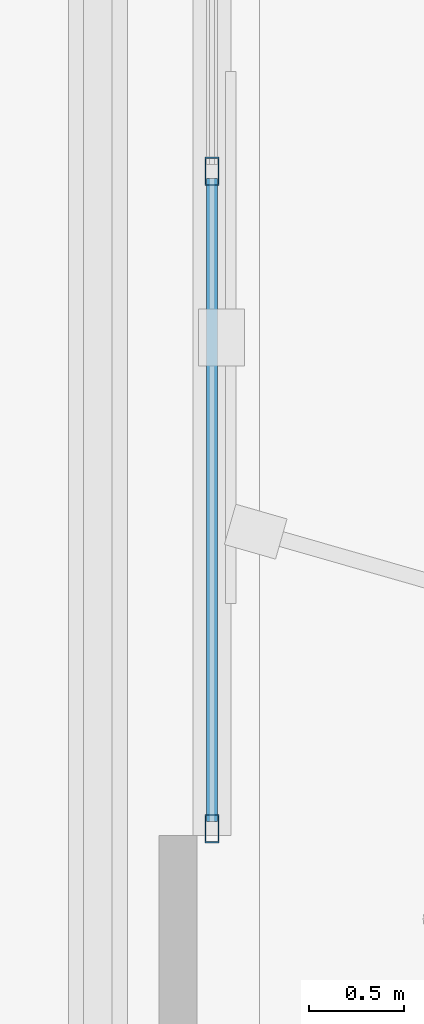
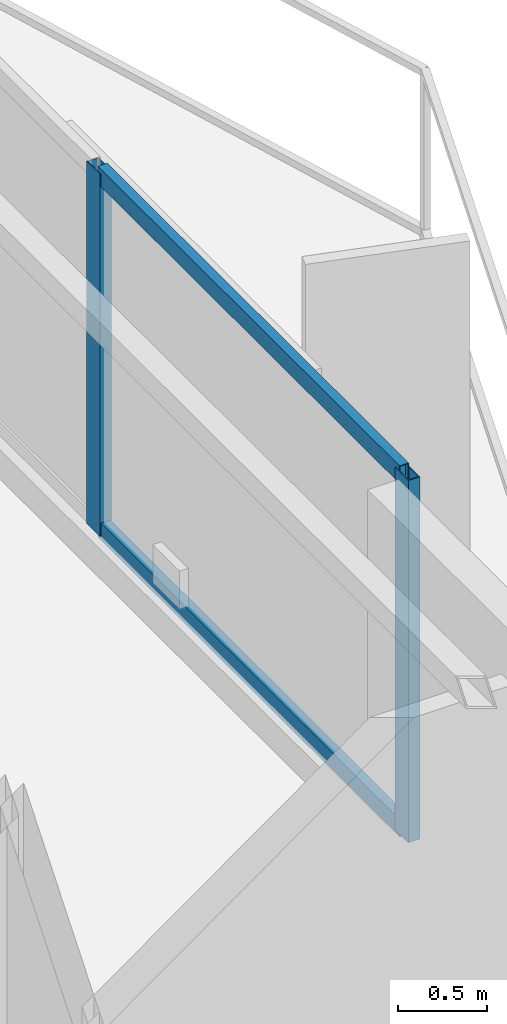
# One storey, part 7 of 19: 4 members, 1 element without a shape of its own.
"""IFC4 building model written with IfcOpenShell, lengths in metres."""

from ifc_helpers import new_model, si_unit, direction, frame, origin, origin_2d, place, context, subcontext, project, spatial, hollow_rectangle, extrude, material, layer, layer_set, material_profile, profile_set, type_object, element, aggregate, save


model = new_model("IFC4")

# Units and contexts
model_context = context("Model", 3, precision=1e-05, world=origin(), true_north=direction((0.0, 1.0)))
body_context = subcontext(model_context, "Body", "Model", "MODEL_VIEW")
ifc_project = project(units=[si_unit("LENGTHUNIT", "METRE"), si_unit("AREAUNIT", "SQUARE_METRE"), si_unit("VOLUMEUNIT", "CUBIC_METRE"), si_unit("PLANEANGLEUNIT", "RADIAN"), si_unit("MASSUNIT", "GRAM", prefix="KILO")], contexts=[model_context])

# Site, building, storey
site_placement = place(None, origin())
site = spatial("IfcSite", under=ifc_project, at=site_placement, CompositionType="ELEMENT")
building_placement = place(site_placement, origin())
building = spatial("IfcBuilding", under=site, at=building_placement, Name="Mersakhor Tower and Convention Hall", CompositionType="ELEMENT")
storey_placement = place(building_placement, frame((0.0, 0.0, 141.0)))
storey = spatial("IfcBuildingStorey", under=building, at=storey_placement, Name="L39", CompositionType="ELEMENT", Elevation=141.0)

# Curtain wall, members
ifc_material_1 = material(Name="Dark solar low-E aluminium curtain wall", Category="aluminium")
ifc_layer = layer(ifc_material_1, 0.169921875)
ifc_layer_set = layer_set([ifc_layer], Name="Dark solar low-E aluminium curtain wall")
curtain_wall_type = type_object("IfcCurtainWallType", Name="CW-SYS-02", PredefinedType="USERDEFINED", material=ifc_layer_set)
curtain_wall_placement = place(storey_placement, origin())
curtain_wall = element("IfcCurtainWall", 1, at=curtain_wall_placement, inside=storey, type_object=curtain_wall_type, Name="L39 Dark-Glass Curtain Wall F2-B2", ObjectType="CURTAIN WALL", PredefinedType="USERDEFINED")
ifc_material_2 = material(Name="Anodised aluminium EN AW-6063 T6", Category="aluminium")
ifc_material_profile_1 = material_profile(ifc_material_2, hollow_rectangle(XDim=0.074951171875, YDim=0.14990234375, WallThickness=0.00634765625, at=origin_2d()), Name="RHS 150x75x6.3")
ifc_profile_set_1 = profile_set([ifc_material_profile_1], Name="Anodised aluminium EN AW-6063 T6")
member_type_1 = type_object("IfcMemberType", Name="CWM-150x75", PredefinedType="MULLION", material=ifc_profile_set_1)
member_1_placement = place(storey_placement, frame((42.21923828125, 25.00244140625, 0.199951171875), z_axis=(0.0, 0.0, 1.0), x_axis=(1.0, 0.0, 0.0)))
member_1 = element("IfcMember", 2, at=member_1_placement, type_object=member_type_1, Name="CW-02 mullion 3", PredefinedType="MULLION", context=body_context, shape_type="SweptSolid", body=[
    extrude(hollow_rectangle(XDim=0.074951171875, YDim=0.14990234375, WallThickness=0.00634765625, at=origin_2d()), origin(), (0.0, 0.0, 1.0), 2.47998046875),
])
member_2_placement = place(storey_placement, frame((42.21923828125, 21.54443359375, 0.199951171875), z_axis=(0.0, 0.0, 1.0), x_axis=(1.0, 0.0, 0.0)))
member_2 = element("IfcMember", 3, at=member_2_placement, type_object=member_type_1, Name="CW-02 mullion 4", PredefinedType="MULLION", context=body_context, shape_type="SweptSolid", body=[
    extrude(hollow_rectangle(XDim=0.074951171875, YDim=0.14990234375, WallThickness=0.00634765625, at=origin_2d()), origin(), (0.0, 0.0, 1.0), 2.47998046875),
])
ifc_material_3 = material(Name="Anodised aluminium EN AW-6063 T6", Category="aluminium")
ifc_material_profile_2 = material_profile(ifc_material_3, hollow_rectangle(XDim=0.06005859375, YDim=0.1201171875, WallThickness=0.0048828125, at=origin_2d()), Name="RHS 120x60x5")
ifc_profile_set_2 = profile_set([ifc_material_profile_2], Name="Anodised aluminium EN AW-6063 T6")
member_type_2 = type_object("IfcMemberType", Name="CWT-120x60", PredefinedType="USERDEFINED", material=ifc_profile_set_2)
member_3_placement = place(storey_placement, frame((42.21923828125, 24.96484375, 0.22998046875), z_axis=(0.0, -1.0, 0.0), x_axis=(1.0, 0.0, 0.0)))
member_3 = element("IfcMember", 4, at=member_3_placement, type_object=member_type_2, Name="CW-02 transom 3.1", ObjectType="TRANSOM", PredefinedType="USERDEFINED", context=body_context, shape_type="SweptSolid", body=[
    extrude(hollow_rectangle(XDim=0.06005859375, YDim=0.1201171875, WallThickness=0.0048828125, at=origin_2d()), origin(), (0.0, 0.0, 1.0), 3.3828125),
])
member_4_placement = place(storey_placement, frame((42.21923828125, 24.96484375, 2.64990234375), z_axis=(0.0, -1.0, 0.0), x_axis=(1.0, 0.0, 0.0)))
member_4 = element("IfcMember", 5, at=member_4_placement, type_object=member_type_2, Name="CW-02 transom 3.2", ObjectType="TRANSOM", PredefinedType="USERDEFINED", context=body_context, shape_type="SweptSolid", body=[
    extrude(hollow_rectangle(XDim=0.06005859375, YDim=0.1201171875, WallThickness=0.0048828125, at=origin_2d()), origin(), (0.0, 0.0, 1.0), 3.3828125),
])
aggregate(curtain_wall, [member_1, member_2, member_3, member_4])

save(model, "model.ifc")
